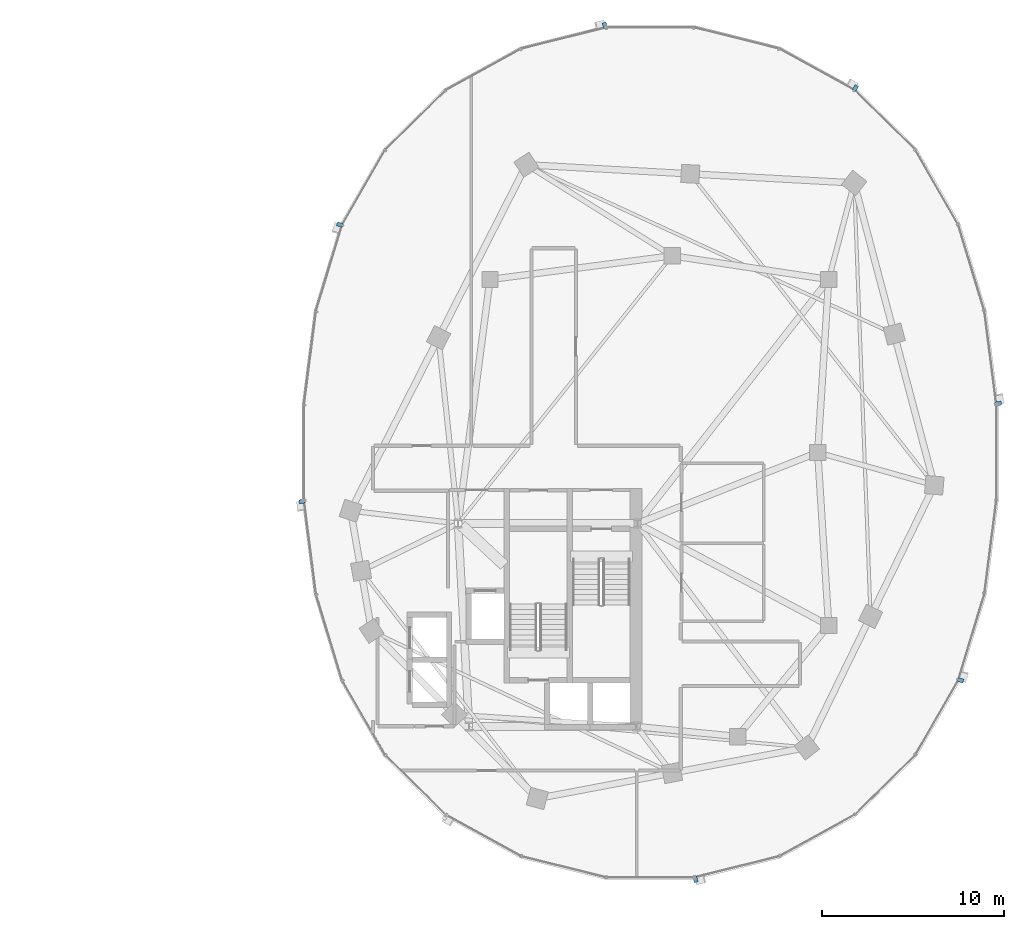
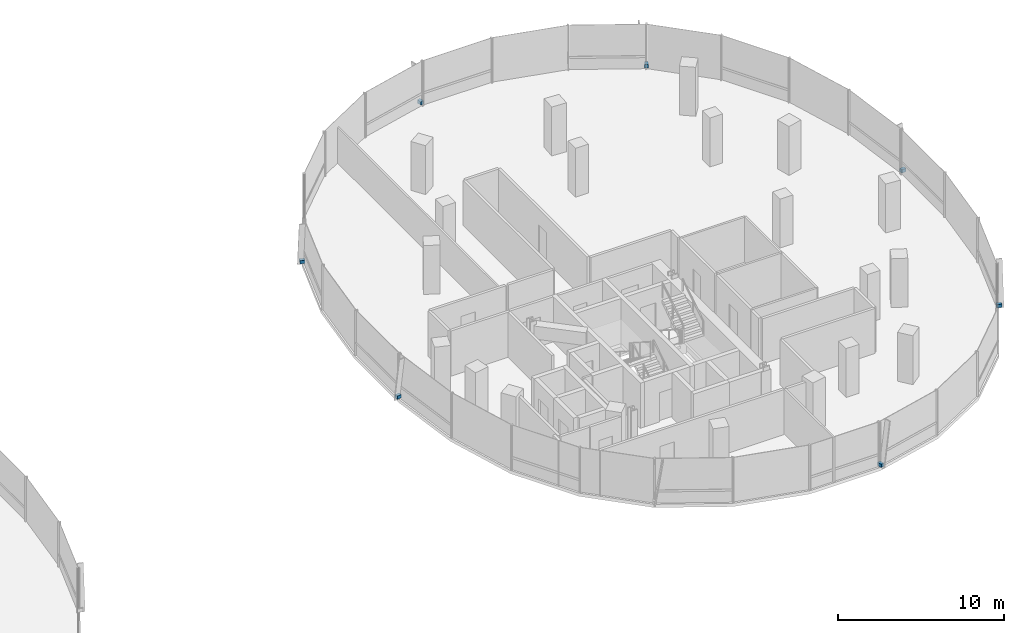
# One storey, part 16 of 21: 7 discrete accessories.
"""IFC4 building model written with IfcOpenShell, lengths in metres."""

import ifcopenshell
import ifcopenshell.guid

model = None  # the IFC model being written
_history = None  # IfcOwnerHistory: only IFC2X3 demands one
_inside = {}  # id of a spatial element -> (the spatial element, [elements in it])
_under = {}  # id of a project, library or spatial element -> (it, [spatial elements below it])
_declared = {}  # id of a project -> (the project, [libraries it declares])
_typed = {}  # id of a type object -> (the type object, [elements of that type])
_made_of = {}  # id of a material, layer set ... -> (it, [elements and type objects made of it])


def new_model(schema):
    """Start an empty IFC model of exactly this schema.

    Asked for "IFC4X3", IfcOpenShell would pick the latest addendum, in which some entities
    have other attributes; the version numbers below select the first issue.
    IFC2X3 requires an IfcOwnerHistory on every rooted entity: one is made here for all.
    """
    global model, _history
    if schema == "IFC4X3":
        model = ifcopenshell.file(schema_version=(4, 3, 0, 0))
    else:
        model = ifcopenshell.file(schema=schema)
    _inside.clear()
    _under.clear()
    _declared.clear()
    _typed.clear()
    _made_of.clear()
    _history = None
    if model.schema == "IFC2X3":
        org = make("IfcOrganization", Name="unknown")
        user = make(
            "IfcPersonAndOrganization",
            ThePerson=make("IfcPerson", FamilyName="unknown"),
            TheOrganization=org,
        )
        app = make(
            "IfcApplication",
            ApplicationDeveloper=org,
            Version="unknown",
            ApplicationFullName="unknown",
            ApplicationIdentifier="unknown",
        )
        _history = make(
            "IfcOwnerHistory",
            OwningUser=user,
            OwningApplication=app,
            ChangeAction="ADDED",
            CreationDate=0,
        )
    return model


def make(cls, **values):
    """One entity of the class cls with the attributes given. An attribute that is None is left unset."""
    return model.create_entity(
        cls, **{name: value for name, value in values.items() if value is not None}
    )


def rooted(cls, **values):
    """An entity with a GlobalId (a new one), such as an element, a storey or a relation."""
    return make(cls, GlobalId=ifcopenshell.guid.new(), OwnerHistory=_history, **values)


def si_unit(unit_type, name, prefix=None):
    """IfcSIUnit, for example si_unit("LENGTHUNIT", "METRE", prefix="MILLI")."""
    return make("IfcSIUnit", UnitType=unit_type, Prefix=prefix, Name=name)


def assignment(units):
    """IfcUnitAssignment: the units of a project."""
    return None if units is None else make("IfcUnitAssignment", Units=units)


def point(xyz):
    """IfcCartesianPoint."""
    return None if xyz is None else make("IfcCartesianPoint", Coordinates=xyz)


def direction(xyz):
    """IfcDirection."""
    return None if xyz is None else make("IfcDirection", DirectionRatios=xyz)


def frame(location, z_axis=None, x_axis=None):
    """IfcAxis2Placement3D, a coordinate frame: its origin and axes. An axis left out is left unset."""
    return make(
        "IfcAxis2Placement3D",
        Location=point(location),
        Axis=direction(z_axis),
        RefDirection=direction(x_axis),
    )


def frame_2d(location, x_axis=None):
    """IfcAxis2Placement2D, a coordinate frame in the plane: its origin and x axis."""
    return make(
        "IfcAxis2Placement2D", Location=point(location), RefDirection=direction(x_axis)
    )


def origin():
    """The frame at (0, 0, 0) with its axes left unset."""
    return frame((0.0, 0.0, 0.0))


def origin_2d():
    """The frame at (0, 0) in the plane with its x axis left unset."""
    return frame_2d((0.0, 0.0))


def place(relative_to, where):
    """IfcLocalPlacement: puts the frame where relative to a parent placement (None: the world)."""
    return make(
        "IfcLocalPlacement", PlacementRelTo=relative_to, RelativePlacement=where
    )


def context(
    kind, dimensions, precision=None, world=None, true_north=None, identifier=None
):
    """IfcGeometricRepresentationContext, for example the 3D "Model" context."""
    return make(
        "IfcGeometricRepresentationContext",
        ContextIdentifier=identifier,
        ContextType=kind,
        CoordinateSpaceDimension=dimensions,
        Precision=precision,
        WorldCoordinateSystem=world,
        TrueNorth=true_north,
    )


def subcontext(parent, identifier, kind, view, scale=None):
    """IfcGeometricRepresentationSubContext, for example "Body" below "Model"."""
    return make(
        "IfcGeometricRepresentationSubContext",
        ContextIdentifier=identifier,
        ContextType=kind,
        ParentContext=parent,
        TargetScale=scale,
        TargetView=view,
    )


def project(units=None, contexts=None):
    """IfcProject with its units and contexts."""
    return rooted(
        "IfcProject",
        Name="project",
        RepresentationContexts=contexts,
        UnitsInContext=assignment(units),
    )


def spatial(cls, under=None, at=None, **own):
    """A site, building, storey or space (cls), placed at a placement, below another one or the project."""
    s = rooted(cls, ObjectPlacement=at, **own)
    if under is not None:
        _under.setdefault(under.id(), (under, []))[1].append(s)
    return s


def profile(cls, at=None, kind="AREA", **sizes):
    """A parametric profile (cls). Its sizes go by their IFC names, for example OverallWidth=200.0."""
    return make(cls, ProfileType=kind, Position=at, **sizes)


def rectangle(**sizes):
    """IfcRectangleProfileDef."""
    return profile("IfcRectangleProfileDef", **sizes)


def extrude(swept, where, along, depth):
    """IfcExtrudedAreaSolid: the profile swept, set in the frame where, extruded along a direction by depth."""
    return make(
        "IfcExtrudedAreaSolid",
        SweptArea=swept,
        Position=where,
        ExtrudedDirection=direction(along),
        Depth=depth,
    )


def shape(context_of_items, identifier, shape_type, items):
    """IfcShapeRepresentation: the items that make up one representation, for example the "Body"."""
    return make(
        "IfcShapeRepresentation",
        ContextOfItems=context_of_items,
        RepresentationIdentifier=identifier,
        RepresentationType=shape_type,
        Items=items,
    )


def material(Name=None, Category=None):
    """IfcMaterial."""
    return make("IfcMaterial", Name=Name, Category=Category)


def made_of(thing, what):
    """Note that an element or type object is made of a material, layer set ...; save() writes the relation."""
    if what is not None:
        _made_of.setdefault(what.id(), (what, []))[1].append(thing)
    return thing


def type_object(cls, material=None, **own):
    """A type object (cls), such as IfcWallType, which elements share."""
    return made_of(rooted(cls, **own), material)


def element(
    cls,
    number,
    at=None,
    inside=None,
    cuts=None,
    type_object=None,
    material=None,
    context=None,
    identifier="Body",
    shape_type=None,
    held_by="IfcProductDefinitionShape",
    body=None,
    shapes=None,
    **own,
):
    """One element of the class cls, such as IfcWall. Its Tag is "e" and its number.

    at: its placement. inside: the storey or other place that contains it. cuts: it is an
    opening in that element (IfcRelVoidsElement). A single representation is given by context,
    identifier, shape_type and body (its items); several are given by shapes. held_by: the class
    of the entity that holds the representations. save() writes the other relations.
    """
    e = rooted(cls, Tag="e%d" % number, ObjectPlacement=at, **own)
    if body is not None:
        shapes = [shape(context, identifier, shape_type, body)]
    if shapes is not None:
        e.Representation = make(held_by, Representations=shapes)
    if inside is not None:
        _inside.setdefault(inside.id(), (inside, []))[1].append(e)
    if cuts is not None:
        rooted(
            "IfcRelVoidsElement", RelatingBuildingElement=cuts, RelatedOpeningElement=e
        )
    if type_object is not None:
        _typed.setdefault(type_object.id(), (type_object, []))[1].append(e)
    return made_of(e, material)


def aggregate(whole, parts):
    """IfcRelAggregates: a whole, such as a stair, and the parts it consists of."""
    return rooted("IfcRelAggregates", RelatingObject=whole, RelatedObjects=parts)


def save(model, path):
    """Write the relations noted so far, then the file.

    IfcRelAggregates (storeys below a building ...), IfcRelContainedInSpatialStructure (elements
    in a storey), IfcRelDefinesByType, IfcRelAssociatesMaterial and IfcRelDeclares: one each for
    every whole, place, type object, material and project.
    """
    for whole, parts in _under.values():
        aggregate(whole, parts)
    for where, things in _inside.values():
        rooted(
            "IfcRelContainedInSpatialStructure",
            RelatedElements=things,
            RelatingStructure=where,
        )
    for kind, things in _typed.values():
        rooted("IfcRelDefinesByType", RelatedObjects=things, RelatingType=kind)
    for what, things in _made_of.values():
        rooted("IfcRelAssociatesMaterial", RelatedObjects=things, RelatingMaterial=what)
    for by, libraries in _declared.values():
        rooted("IfcRelDeclares", RelatingContext=by, RelatedDefinitions=libraries)
    model.write(path)


model = new_model("IFC4")

# Units and contexts
model_context = context("Model", 3, precision=1e-05, world=origin(), true_north=direction((0.0, 1.0)))
body_context = subcontext(model_context, "Body", "Model", "MODEL_VIEW")
ifc_project = project(units=[si_unit("LENGTHUNIT", "METRE"), si_unit("AREAUNIT", "SQUARE_METRE"), si_unit("VOLUMEUNIT", "CUBIC_METRE"), si_unit("PLANEANGLEUNIT", "RADIAN"), si_unit("MASSUNIT", "GRAM", prefix="KILO"), si_unit("THERMODYNAMICTEMPERATUREUNIT", "KELVIN"), si_unit("POWERUNIT", "WATT")], contexts=[model_context])

# Site, building, storey
site_placement = place(None, origin())
site = spatial("IfcSite", under=ifc_project, at=site_placement, CompositionType="ELEMENT")
building_placement = place(site_placement, origin())
building = spatial("IfcBuilding", under=site, at=building_placement, Name="Cundina Bronze Exchange", CompositionType="ELEMENT")
storey_placement = place(building_placement, frame((0.0, 0.0, 183.60009765625)))
storey = spatial("IfcBuildingStorey", under=building, at=storey_placement, Name="L48", CompositionType="ELEMENT", Elevation=183.60009765625)

# Discrete accessories
ifc_material = material(Name="Anodised Bronze Aluminium 6063-T6", Category="aluminium")
discrete_accessory_type = type_object("IfcDiscreteAccessoryType", Name="ACC-BRK-FIN", PredefinedType="BRACKET", material=ifc_material)
for number, where, z_axis, x_axis, name in (
    (1, (51.125732421875, 2.69189453125, 0.10009765625), (0.0, 0.0, 1.0), (-0.126475984253, 0.9919696696, 0.0), "L48 Fin Support Bracket 1"),
    (2, (43.266845703125, 20.015380859375, 0.10009765625), (0.0, 0.0, 1.0), (-0.875869093438, 0.482548786301, 0.0), "L48 Fin Support Bracket 5"),
    (3, (29.507080078125, 23.44970703125, 0.10009765625), (0.0, 0.0, 1.0), (-0.970092713791, -0.242734683656, 0.0), "L48 Fin Support Bracket 1"),
    (4, (14.9541015625, 12.511962890625, 0.10009765625), (0.0, 0.0, 1.0), (-0.290050843957, -0.957011237092, 0.0), "L48 Fin Support Bracket 5"),
    (5, (12.874267578125, -2.69189453125, 0.10009765625), (0.0, 0.0, 1.0), (0.126475984253, -0.9919696696, 0.0), "L48 Fin Support Bracket 1"),
    (6, (34.492919921875, -23.44970703125, 0.10009765625), (0.0, 0.0, 1.0), (0.970092713791, 0.242734683656, 0.0), "L48 Fin Support Bracket 1"),
    (7, (49.0458984375, -12.511962890625, 0.10009765625), (0.0, 0.0, 1.0), (0.290050843957, 0.957011237092, 0.0), "L48 Fin Support Bracket 5"),
):
    element("IfcDiscreteAccessory", number, at=place(storey_placement, frame(where, z_axis=z_axis, x_axis=x_axis)), inside=storey, type_object=discrete_accessory_type, Name=name, PredefinedType="BRACKET", context=body_context, shape_type="SweptSolid", body=[
        extrude(rectangle(XDim=0.219970703125, YDim=0.320068359375, at=origin_2d()), origin(), (0.0, 0.0, 1.0), 0.239990234375),
    ])

save(model, "model.ifc")
